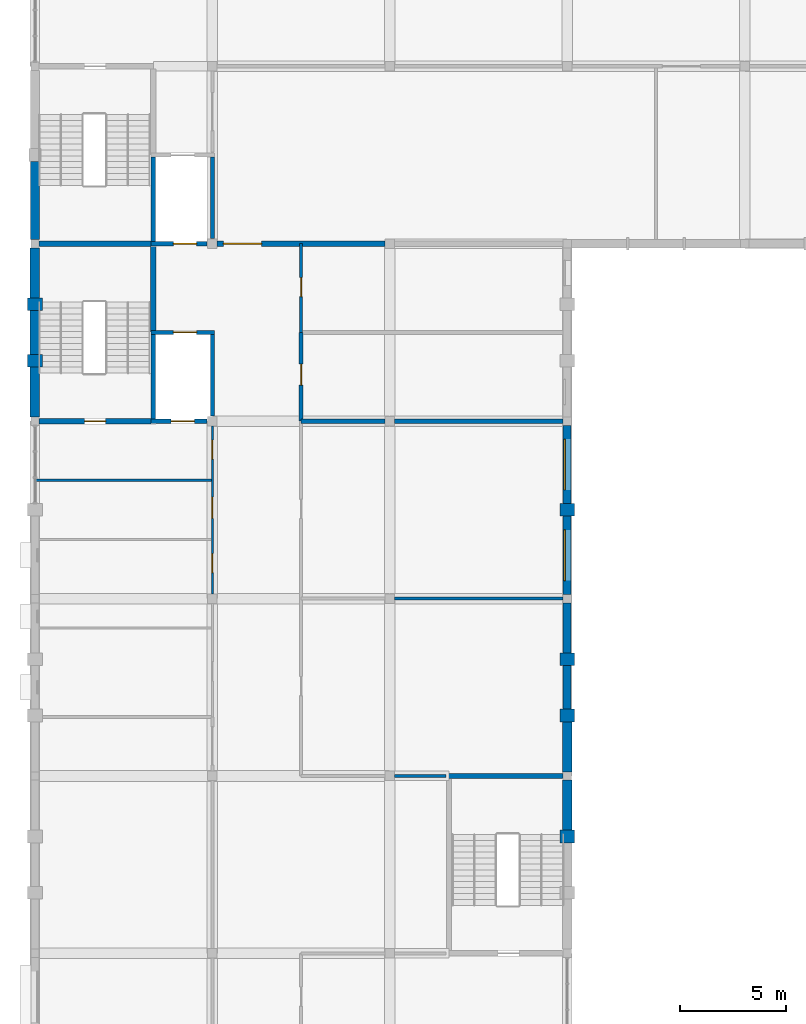
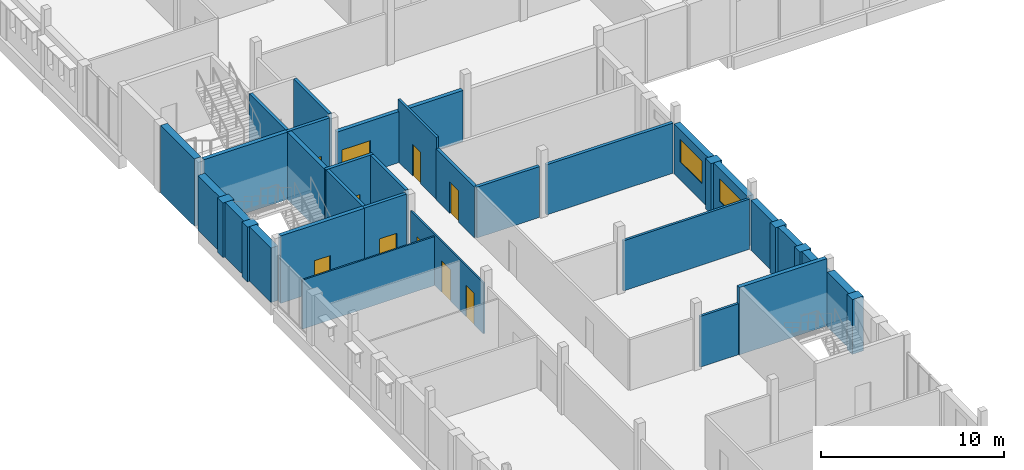
# One storey, part 20 of 30: 36 walls, 10 doors, 2 windows, 12 openings.
"""IFC4 building model written with IfcOpenShell, lengths in metres."""

from ifc_helpers import new_model, si_unit, direction, frame, frame_2d, origin, place, context, subcontext, project, spatial, rectangle, extrude, material, layer, layer_set, type_object, element, fill, save


model = new_model("IFC4")

# Units and contexts
model_context = context("Model", 3, precision=1e-05, world=origin(), true_north=direction((0.0, 1.0)))
body_context = subcontext(model_context, "Body", "Model", "MODEL_VIEW")
ifc_project = project(units=[si_unit("LENGTHUNIT", "METRE"), si_unit("AREAUNIT", "SQUARE_METRE"), si_unit("VOLUMEUNIT", "CUBIC_METRE"), si_unit("PLANEANGLEUNIT", "RADIAN"), si_unit("MASSUNIT", "GRAM", prefix="KILO")], contexts=[model_context])

# Site, building, storey
site_placement = place(None, origin())
site = spatial("IfcSite", under=ifc_project, at=site_placement, CompositionType="ELEMENT")
building_placement = place(site_placement, origin())
building = spatial("IfcBuilding", under=site, at=building_placement, Name="Fescue Hill Polytechnic", CompositionType="ELEMENT")
storey_placement = place(building_placement, frame((0.0, 0.0, 22.5)))
storey = spatial("IfcBuildingStorey", under=building, at=storey_placement, Name="L05", CompositionType="ELEMENT", Elevation=22.5)

# Wall, opening, door
ifc_material_1 = material(Name="Concrete 40 MPa", Category="concrete")
ifc_layer_1 = layer(ifc_material_1, 0.25)
ifc_layer_set_1 = layer_set([ifc_layer_1], Name="Concrete 40 MPa")
wall_type_1 = type_object("IfcWallType", Name="Core wall 250", PredefinedType="SHEAR", material=ifc_layer_set_1)
wall_1_placement = place(storey_placement, frame((0.199951171875, 100.800048828125, 0.0), z_axis=(0.0, 0.0, 1.0), x_axis=(1.0, 0.0, 0.0)))
wall_1 = element("IfcWall", 1, at=wall_1_placement, inside=storey, type_object=wall_type_1, Name="CW-L05-ST-V4-2-11", PredefinedType="SHEAR", context=body_context, shape_type="SweptSolid", body=[
    extrude(rectangle(XDim=5.300048828125, YDim=0.25, at=frame_2d((2.64990234375, 0.0))), origin(), (0.0, 0.0, 1.0), 4.5),
])
opening_1_placement = place(wall_1_placement, frame((2.14990234375, 0.0, 0.0)))
opening_1 = element("IfcOpeningElement", 2, at=opening_1_placement, cuts=wall_1, Name="Opening D5041", PredefinedType="OPENING", context=body_context, shape_type="SweptSolid", body=[
    extrude(rectangle(XDim=1.0, YDim=2.10009765625, at=frame_2d((0.5, 1.050048828125))), frame((0.0, 0.135009765625, 0.0), z_axis=(0.0, -1.0, 0.0), x_axis=(1.0, 0.0, 0.0)), (0.0, 0.0, 1.0), 0.27001953125),
])
ifc_material_2 = material(Name="Steel fire door", Category="steel")
door_type_1 = type_object("IfcDoorType", Name="Door single swing 1000x2100 stair fire rated", OperationType="NOTDEFINED", PredefinedType="DOOR", material=ifc_material_2)
door_1_placement = place(opening_1_placement, origin())
door_1 = element("IfcDoor", 3, at=door_1_placement, inside=storey, type_object=door_type_1, Name="L05 ST-V4-2 stair door", OperationType="SINGLE_SWING_LEFT", OverallHeight=2.10009765625, OverallWidth=1.0, PredefinedType="DOOR", context=body_context, shape_type="SweptSolid", body=[
    extrude(rectangle(XDim=1.0, YDim=2.10009765625, at=frame_2d((0.5, 1.050048828125))), frame((0.0, 0.02490234375, 0.0), z_axis=(0.0, -1.0, 0.0), x_axis=(1.0, 0.0, 0.0)), (0.0, 0.0, 1.0), 0.050048828125),
])
fill(opening_1, door_1)

# Walls
wall_2_placement = place(storey_placement, frame((0.199951171875, 109.199951171875, 0.0), z_axis=(0.0, 0.0, 1.0), x_axis=(1.0, 0.0, 0.0)))
element("IfcWall", 4, at=wall_2_placement, inside=storey, type_object=wall_type_1, Name="CW-L05-ST-V4-2-21", PredefinedType="SHEAR", context=body_context, shape_type="SweptSolid", body=[
    extrude(rectangle(XDim=5.300048828125, YDim=0.25, at=frame_2d((2.64990234375, 0.0))), origin(), (0.0, 0.0, 1.0), 4.5),
])
wall_3_placement = place(storey_placement, frame((5.60009765625, 105.010009765625, 0.0), z_axis=(0.0, 0.0, 1.0), x_axis=(0.0, 1.0, 0.0)))
element("IfcWall", 5, at=wall_3_placement, inside=storey, type_object=wall_type_1, Name="CW-L05-ST-V4-2-41", PredefinedType="SHEAR", context=body_context, shape_type="SweptSolid", body=[
    extrude(rectangle(XDim=4.06494140625, YDim=0.25, at=frame_2d((2.032470703125, 0.0))), origin(), (0.0, 0.0, 1.0), 4.5),
])
wall_4_placement = place(storey_placement, frame((19.47509765625, 84.0, 0.0), z_axis=(0.0, 0.0, 1.0), x_axis=(1.0, 0.0, 0.0)))
element("IfcWall", 6, at=wall_4_placement, inside=storey, type_object=wall_type_1, Name="CW-L05-ST-V4-3-21", PredefinedType="SHEAR", context=body_context, shape_type="SweptSolid", body=[
    extrude(rectangle(XDim=5.52490234375, YDim=0.25, at=frame_2d((2.762451171875, 0.0))), origin(), (0.0, 0.0, 1.0), 4.5),
])

# Wall, opening, door
ifc_material_3 = material(Name="Gypsum board partition")
ifc_layer_2 = layer(ifc_material_3, 0.14990234375)
ifc_layer_set_2 = layer_set([ifc_layer_2], Name="Gypsum board partition")
wall_type_2 = type_object("IfcWallType", Name="Corridor wall 150 EI 45", PredefinedType="PARTITIONING", material=ifc_layer_set_2)
wall_5_placement = place(storey_placement, frame((12.60009765625, 105.0, 0.0), z_axis=(0.0, 0.0, 1.0), x_axis=(0.0, 1.0, 0.0)))
wall_5 = element("IfcWall", 7, at=wall_5_placement, inside=storey, type_object=wall_type_2, Name="IW-L05-051", PredefinedType="PARTITIONING", context=body_context, shape_type="SweptSolid", body=[
    extrude(rectangle(XDim=4.199951171875, YDim=0.14990234375, at=frame_2d((2.10009765625, 0.0))), origin(), (0.0, 0.0, 1.0), 4.14990234375),
])
opening_2_placement = place(wall_5_placement, frame((1.699951171875, 0.0, 0.0)))
opening_2 = element("IfcOpeningElement", 8, at=opening_2_placement, cuts=wall_5, Name="Opening D5016", PredefinedType="OPENING", context=body_context, shape_type="SweptSolid", body=[
    extrude(rectangle(XDim=0.89990234375, YDim=2.10009765625, at=frame_2d((0.449951171875, 1.050048828125))), frame((0.0, 0.0849609375, 0.0), z_axis=(0.0, -1.0, 0.0), x_axis=(1.0, 0.0, 0.0)), (0.0, 0.0, 1.0), 0.169921875),
])
ifc_material_4 = material(Name="Timber", Category="wood")
door_type_2 = type_object("IfcDoorType", Name="Door single swing 900x2100 FD30S", OperationType="SINGLE_SWING_LEFT", PredefinedType="DOOR", material=ifc_material_4)
door_2_placement = place(opening_2_placement, origin())
door_2 = element("IfcDoor", 9, at=door_2_placement, inside=storey, type_object=door_type_2, Name="Door D5016", OperationType="SINGLE_SWING_RIGHT", OverallHeight=2.10009765625, OverallWidth=0.89990234375, PredefinedType="DOOR", context=body_context, shape_type="SweptSolid", body=[
    extrude(rectangle(XDim=0.89990234375, YDim=2.10009765625, at=frame_2d((0.449951171875, 1.050048828125))), frame((0.0, 0.02490234375, 0.0), z_axis=(0.0, -1.0, 0.0), x_axis=(1.0, 0.0, 0.0)), (0.0, 0.0, 1.0), 0.050048828125),
])
fill(opening_2, door_2)

# Walls
ifc_layer_3 = layer(ifc_material_1, 0.449951171875)
ifc_layer_set_3 = layer_set([ifc_layer_3], Name="Concrete 40 MPa")
wall_type_3 = type_object("IfcWallType", Name="Exterior wall board-marked concrete 450", PredefinedType="SOLIDWALL", material=ifc_layer_set_3)
wall_6_placement = place(storey_placement, frame((25.199951171875, 84.199951171875, 0.0), z_axis=(0.0, 0.0, 1.0), x_axis=(0.0, 1.0, 0.0)))
element("IfcWall", 10, at=wall_6_placement, inside=storey, type_object=wall_type_3, Name="EW-L05-V4-11", PredefinedType="SOLIDWALL", context=body_context, shape_type="SweptSolid", body=[
    extrude(rectangle(XDim=2.36669921875, YDim=0.449951171875, at=frame_2d((1.183349609375, 0.0))), origin(), (0.0, 0.0, 1.0), 3.35009765625),
])
ifc_layer_4 = layer(ifc_material_1, 0.449951171875)
ifc_layer_set_4 = layer_set([ifc_layer_4], Name="Concrete 40 MPa")
wall_type_4 = type_object("IfcWallType", Name="Exterior wall board-marked concrete 450 load-bearing", PredefinedType="SOLIDWALL", material=ifc_layer_set_4)
for number, where, z_axis, x_axis, name in (
    (11, (25.199951171875, 81.433349609375, 0.0), (0.0, 0.0, 1.0), (0.0, 1.0, 0.0), "EW-L05-V4-10"),
    (12, (0.0, 109.0, 0.0), (0.0, 0.0, 1.0), (0.0, -1.0, 0.0), "EW-L05-V4-19"),
):
    element("IfcWall", number, at=place(storey_placement, frame(where, z_axis=z_axis, x_axis=x_axis)), inside=storey, type_object=wall_type_4, Name=name, PredefinedType="SOLIDWALL", context=body_context, shape_type="SweptSolid", body=[
        extrude(rectangle(XDim=2.36669921875, YDim=0.449951171875, at=frame_2d((1.183349609375, 0.0))), origin(), (0.0, 0.0, 1.0), 3.64990234375),
    ])
wall_7_placement = place(storey_placement, frame((0.0, 106.033203125, 0.0), z_axis=(0.0, 0.0, 1.0), x_axis=(0.0, -1.0, 0.0)))
element("IfcWall", 13, at=wall_7_placement, inside=storey, type_object=wall_type_4, Name="EW-L05-V4-20", PredefinedType="SOLIDWALL", context=body_context, shape_type="SweptSolid", body=[
    extrude(rectangle(XDim=2.06640625, YDim=0.449951171875, at=frame_2d((1.033203125, 0.0))), origin(), (0.0, 0.0, 1.0), 3.64990234375),
])
wall_8_placement = place(storey_placement, frame((0.0, 103.36669921875, 0.0), z_axis=(0.0, 0.0, 1.0), x_axis=(0.0, -1.0, 0.0)))
element("IfcWall", 14, at=wall_8_placement, inside=storey, type_object=wall_type_4, Name="EW-L05-V4-21", PredefinedType="SOLIDWALL", context=body_context, shape_type="SweptSolid", body=[
    extrude(rectangle(XDim=2.36669921875, YDim=0.449951171875, at=frame_2d((1.183349609375, 0.0))), origin(), (0.0, 0.0, 1.0), 3.64990234375),
])
ifc_material_5 = material(Name="Clay brick masonry", Category="masonry")
ifc_layer_5 = layer(ifc_material_5, 0.419921875)
ifc_layer_set_5 = layer_set([ifc_layer_5], Name="Clay brick masonry")
wall_type_5 = type_object("IfcWallType", Name="Exterior wall buff-red brick cavity 420 load-bearing", PredefinedType="SOLIDWALL", material=ifc_layer_set_5)
wall_9_placement = place(storey_placement, frame((0.0, 113.10009765625, 0.0), z_axis=(0.0, 0.0, 1.0), x_axis=(0.0, -1.0, 0.0)))
element("IfcWall", 15, at=wall_9_placement, inside=storey, type_object=wall_type_5, Name="EW-L05-V5-22", PredefinedType="SOLIDWALL", context=body_context, shape_type="SweptSolid", body=[
    extrude(rectangle(XDim=3.7001953125, YDim=0.419921875, at=frame_2d((1.85009765625, 0.0))), origin(), (0.0, 0.0, 1.0), 4.5),
])
ifc_material_6 = material(Name="Terracotta rainscreen on concrete block", Category="masonry")
ifc_layer_6 = layer(ifc_material_6, 0.3798828125)
ifc_layer_set_6 = layer_set([ifc_layer_6], Name="Terracotta rainscreen on concrete block")
wall_type_6 = type_object("IfcWallType", Name="Exterior wall rainscreen terracotta on blockwork 380", PredefinedType="SOLIDWALL", material=ifc_layer_set_6)
wall_10_placement = place(storey_placement, frame((25.199951171875, 87.166748046875, 0.0), z_axis=(0.0, 0.0, 1.0), x_axis=(0.0, 1.0, 0.0)))
element("IfcWall", 16, at=wall_10_placement, inside=storey, type_object=wall_type_6, Name="EW-L05-V4-12", PredefinedType="SOLIDWALL", context=body_context, shape_type="SweptSolid", body=[
    extrude(rectangle(XDim=2.066650390625, YDim=0.3798828125, at=frame_2d((1.033203125, 0.0))), origin(), (0.0, 0.0, 1.0), 3.35009765625),
])
wall_11_placement = place(storey_placement, frame((25.199951171875, 89.833251953125, 0.0), z_axis=(0.0, 0.0, 1.0), x_axis=(0.0, 1.0, 0.0)))
element("IfcWall", 17, at=wall_11_placement, inside=storey, type_object=wall_type_6, Name="EW-L05-V4-13", PredefinedType="SOLIDWALL", context=body_context, shape_type="SweptSolid", body=[
    extrude(rectangle(XDim=2.36669921875, YDim=0.3798828125, at=frame_2d((1.183349609375, 0.0))), origin(), (0.0, 0.0, 1.0), 3.35009765625),
])

# Wall, opening, window
wall_12_placement = place(storey_placement, frame((25.199951171875, 92.60009765625, 0.0), z_axis=(0.0, 0.0, 1.0), x_axis=(0.0, 1.0, 0.0)))
wall_12 = element("IfcWall", 18, at=wall_12_placement, inside=storey, type_object=wall_type_6, Name="EW-L05-V4-14", PredefinedType="SOLIDWALL", context=body_context, shape_type="SweptSolid", body=[
    extrude(rectangle(XDim=3.699951171875, YDim=0.3798828125, at=frame_2d((1.85009765625, 0.0))), origin(), (0.0, 0.0, 1.0), 3.35009765625),
])
opening_3_placement = place(wall_12_placement, frame((0.64990234375, 0.0, 1.199951171875)))
opening_3 = element("IfcOpeningElement", 19, at=opening_3_placement, cuts=wall_12, Name="Opening W3", PredefinedType="OPENING", context=body_context, shape_type="SweptSolid", body=[
    extrude(rectangle(XDim=2.39990234375, YDim=1.5, at=frame_2d((1.199951171875, 0.75))), frame((0.0, 0.199951171875, 0.0), z_axis=(0.0, -1.0, 0.0), x_axis=(1.0, 0.0, 0.0)), (0.0, 0.0, 1.0), 0.39990234375),
])
ifc_material_7 = material(Name="Powder-coated aluminium and glass", Category="aluminium")
window_type = type_object("IfcWindowType", Name="Window laboratory strip 2400x1500", PartitioningType="TRIPLE_PANEL_VERTICAL", PredefinedType="WINDOW", material=ifc_material_7)
window_1_placement = place(opening_3_placement, origin())
window_1 = element("IfcWindow", 20, at=window_1_placement, inside=storey, type_object=window_type, Name="WN-L05-V4-4", OverallHeight=1.5, OverallWidth=2.39990234375, PartitioningType="SINGLE_PANEL", PredefinedType="WINDOW", context=body_context, shape_type="SweptSolid", body=[
    extrude(rectangle(XDim=2.39990234375, YDim=1.5, at=frame_2d((1.199951171875, 0.75))), frame((0.0, 0.150146484375, 0.0), z_axis=(0.0, -1.0, 0.0), x_axis=(1.0, 0.0, 0.0)), (0.0, 0.0, 1.0), 0.06005859375),
])
fill(opening_3, window_1)

wall_13_placement = place(storey_placement, frame((25.199951171875, 96.89990234375, 0.0), z_axis=(0.0, 0.0, 1.0), x_axis=(0.0, 1.0, 0.0)))
wall_13 = element("IfcWall", 21, at=wall_13_placement, inside=storey, type_object=wall_type_6, Name="EW-L05-V4-15", PredefinedType="SOLIDWALL", context=body_context, shape_type="SweptSolid", body=[
    extrude(rectangle(XDim=3.7001953125, YDim=0.3798828125, at=frame_2d((1.85009765625, 0.0))), origin(), (0.0, 0.0, 1.0), 3.35009765625),
])
opening_4_placement = place(wall_13_placement, frame((0.64990234375, 0.0, 1.199951171875)))
opening_4 = element("IfcOpeningElement", 22, at=opening_4_placement, cuts=wall_13, Name="Opening W3", PredefinedType="OPENING", context=body_context, shape_type="SweptSolid", body=[
    extrude(rectangle(XDim=2.39990234375, YDim=1.5, at=frame_2d((1.199951171875, 0.75))), frame((0.0, 0.199951171875, 0.0), z_axis=(0.0, -1.0, 0.0), x_axis=(1.0, 0.0, 0.0)), (0.0, 0.0, 1.0), 0.39990234375),
])
window_2_placement = place(opening_4_placement, origin())
window_2 = element("IfcWindow", 23, at=window_2_placement, inside=storey, type_object=window_type, Name="WN-L05-V4-5", OverallHeight=1.5, OverallWidth=2.39990234375, PartitioningType="SINGLE_PANEL", PredefinedType="WINDOW", context=body_context, shape_type="SweptSolid", body=[
    extrude(rectangle(XDim=2.39990234375, YDim=1.5, at=frame_2d((1.199951171875, 0.75))), frame((0.0, 0.150146484375, 0.0), z_axis=(0.0, -1.0, 0.0), x_axis=(1.0, 0.0, 0.0)), (0.0, 0.0, 1.0), 0.06005859375),
])
fill(opening_4, window_2)

# Walls
ifc_layer_7 = layer(ifc_material_1, 0.699951171875)
ifc_layer_set_7 = layer_set([ifc_layer_7], Name="Concrete 40 MPa")
wall_type_7 = type_object("IfcWallType", Name="Fin wall board-marked 600x700", PredefinedType="SOLIDWALL", material=ifc_layer_set_7)
wall_14_placement = place(storey_placement, frame((25.199951171875, 80.833251953125, 0.0), z_axis=(0.0, 0.0, 1.0), x_axis=(0.0, 1.0, 0.0)))
element("IfcWall", 24, at=wall_14_placement, inside=storey, type_object=wall_type_7, Name="PR-L05-V4-6", PredefinedType="SOLIDWALL", context=body_context, shape_type="SweptSolid", body=[
    extrude(rectangle(XDim=0.60009765625, YDim=0.699951171875, at=frame_2d((0.300048828125, 0.0))), origin(), (0.0, 0.0, 1.0), 3.64990234375),
])
wall_15_placement = place(storey_placement, frame((25.199951171875, 86.566650390625, 0.0), z_axis=(0.0, 0.0, 1.0), x_axis=(0.0, 1.0, 0.0)))
element("IfcWall", 25, at=wall_15_placement, inside=storey, type_object=wall_type_7, Name="PR-L05-V4-7", PredefinedType="SOLIDWALL", context=body_context, shape_type="SweptSolid", body=[
    extrude(rectangle(XDim=0.60009765625, YDim=0.699951171875, at=frame_2d((0.300048828125, 0.0))), origin(), (0.0, 0.0, 1.0), 3.35009765625),
])
for number, where, z_axis, x_axis, name in (
    (26, (25.199951171875, 89.2333984375, 0.0), (0.0, 0.0, 1.0), (0.0, 1.0, 0.0), "PR-L05-V4-8"),
    (27, (25.199951171875, 96.300048828125, 0.0), (0.0, 0.0, 1.0), (0.0, 1.0, 0.0), "PR-L05-V4-9"),
):
    element("IfcWall", number, at=place(storey_placement, frame(where, z_axis=z_axis, x_axis=x_axis)), inside=storey, type_object=wall_type_7, Name=name, PredefinedType="SOLIDWALL", context=body_context, shape_type="SweptSolid", body=[
        extrude(rectangle(XDim=0.599853515625, YDim=0.699951171875, at=frame_2d((0.2998046875, 0.0))), origin(), (0.0, 0.0, 1.0), 3.35009765625),
    ])
for number, where, z_axis, x_axis, name in (
    (28, (0.0, 106.63330078125, 0.0), (0.0, 0.0, 1.0), (0.0, -1.0, 0.0), "PR-L05-V4-12"),
    (29, (0.0, 103.966796875, 0.0), (0.0, 0.0, 1.0), (0.0, -1.0, 0.0), "PR-L05-V4-13"),
):
    element("IfcWall", number, at=place(storey_placement, frame(where, z_axis=z_axis, x_axis=x_axis)), inside=storey, type_object=wall_type_7, Name=name, PredefinedType="SOLIDWALL", context=body_context, shape_type="SweptSolid", body=[
        extrude(rectangle(XDim=0.60009765625, YDim=0.699951171875, at=frame_2d((0.300048828125, 0.0))), origin(), (0.0, 0.0, 1.0), 3.64990234375),
    ])

# Wall, opening, door
ifc_layer_8 = layer(ifc_material_1, 0.199951171875)
ifc_layer_set_8 = layer_set([ifc_layer_8], Name="Concrete 40 MPa")
wall_type_8 = type_object("IfcWallType", Name="Lift shaft wall 200", PredefinedType="SHEAR", material=ifc_layer_set_8)
wall_16_placement = place(storey_placement, frame((5.5, 100.800048828125, 0.0), z_axis=(0.0, 0.0, 1.0), x_axis=(1.0, 0.0, 0.0)))
wall_16 = element("IfcWall", 30, at=wall_16_placement, inside=storey, type_object=wall_type_8, Name="CW-L05-LF-V4-2-11", PredefinedType="SHEAR", context=body_context, shape_type="SweptSolid", body=[
    extrude(rectangle(XDim=2.64990234375, YDim=0.199951171875, at=frame_2d((1.324951171875, 0.0))), origin(), (0.0, 0.0, 1.0), 4.5),
])
opening_5_placement = place(wall_16_placement, frame((0.949951171875, 0.0, 0.0)))
opening_5 = element("IfcOpeningElement", 31, at=opening_5_placement, cuts=wall_16, Name="Opening LD5-L05", PredefinedType="OPENING", context=body_context, shape_type="SweptSolid", body=[
    extrude(rectangle(XDim=1.10009765625, YDim=2.10009765625, at=frame_2d((0.550048828125, 1.050048828125))), frame((0.0, 0.10986328125, 0.0), z_axis=(0.0, -1.0, 0.0), x_axis=(1.0, 0.0, 0.0)), (0.0, 0.0, 1.0), 0.219970703125),
])
ifc_material_8 = material(Name="Stainless steel", Category="steel")
door_type_3 = type_object("IfcDoorType", Name="Lift landing door sliding 1100x2100", OperationType="SLIDING_TO_LEFT", PredefinedType="DOOR", material=ifc_material_8)
door_3_placement = place(opening_5_placement, origin())
door_3 = element("IfcDoor", 32, at=door_3_placement, inside=storey, type_object=door_type_3, Name="L05 LF-V4-2 lift landing door", OperationType="SLIDING_TO_LEFT", OverallHeight=2.10009765625, OverallWidth=1.10009765625, PredefinedType="DOOR", context=body_context, shape_type="SweptSolid", body=[
    extrude(rectangle(XDim=1.10009765625, YDim=2.10009765625, at=frame_2d((0.550048828125, 1.050048828125))), frame((0.0, 0.02490234375, 0.0), z_axis=(0.0, -1.0, 0.0), x_axis=(1.0, 0.0, 0.0)), (0.0, 0.0, 1.0), 0.050048828125),
])
fill(opening_5, door_3)

wall_17_placement = place(storey_placement, frame((5.5, 105.0, 0.0), z_axis=(0.0, 0.0, 1.0), x_axis=(1.0, 0.0, 0.0)))
wall_17 = element("IfcWall", 33, at=wall_17_placement, inside=storey, type_object=wall_type_8, Name="CW-L05-LF-V4-2-21", PredefinedType="SHEAR", context=body_context, shape_type="SweptSolid", body=[
    extrude(rectangle(XDim=3.0, YDim=0.199951171875, at=frame_2d((1.5, 0.0))), origin(), (0.0, 0.0, 1.0), 4.5),
])
opening_6_placement = place(wall_17_placement, frame((1.050048828125, 0.0, 0.0)))
opening_6 = element("IfcOpeningElement", 34, at=opening_6_placement, cuts=wall_17, Name="Opening LD5-L05N", PredefinedType="OPENING", context=body_context, shape_type="SweptSolid", body=[
    extrude(rectangle(XDim=1.10009765625, YDim=2.10009765625, at=frame_2d((0.550048828125, 1.050048828125))), frame((0.0, 0.10986328125, 0.0), z_axis=(0.0, -1.0, 0.0), x_axis=(1.0, 0.0, 0.0)), (0.0, 0.0, 1.0), 0.219970703125),
])
door_4_placement = place(opening_6_placement, origin())
door_4 = element("IfcDoor", 35, at=door_4_placement, inside=storey, type_object=door_type_3, Name="L05 LF-V4-2 lift landing door", OperationType="SLIDING_TO_RIGHT", OverallHeight=2.10009765625, OverallWidth=1.10009765625, PredefinedType="DOOR", context=body_context, shape_type="SweptSolid", body=[
    extrude(rectangle(XDim=1.10009765625, YDim=2.10009765625, at=frame_2d((0.550048828125, 1.050048828125))), frame((0.0, 0.02490234375, 0.0), z_axis=(0.0, -1.0, 0.0), x_axis=(1.0, 0.0, 0.0)), (0.0, 0.0, 1.0), 0.050048828125),
])
fill(opening_6, door_4)

# Walls
wall_18_placement = place(storey_placement, frame((5.60009765625, 100.89990234375, 0.0), z_axis=(0.0, 0.0, 1.0), x_axis=(0.0, 1.0, 0.0)))
element("IfcWall", 36, at=wall_18_placement, inside=storey, type_object=wall_type_8, Name="CW-L05-LF-V4-2-31", PredefinedType="SHEAR", context=body_context, shape_type="SweptSolid", body=[
    extrude(rectangle(XDim=4.0, YDim=0.199951171875, at=frame_2d((2.0, 0.0))), origin(), (0.0, 0.0, 1.0), 4.5),
])
wall_19_placement = place(storey_placement, frame((8.39990234375, 101.050048828125, 0.0), z_axis=(0.0, 0.0, 1.0), x_axis=(0.0, 1.0, 0.0)))
element("IfcWall", 37, at=wall_19_placement, inside=storey, type_object=wall_type_8, Name="CW-L05-LF-V4-2-41", PredefinedType="SHEAR", context=body_context, shape_type="SweptSolid", body=[
    extrude(rectangle(XDim=3.849853515625, YDim=0.199951171875, at=frame_2d((1.9248046875, 0.0))), origin(), (0.0, 0.0, 1.0), 4.5),
])

# Wall, opening, door
wall_20_placement = place(storey_placement, frame((5.5, 109.199951171875, 0.0), z_axis=(0.0, 0.0, 1.0), x_axis=(1.0, 0.0, 0.0)))
wall_20 = element("IfcWall", 38, at=wall_20_placement, inside=storey, type_object=wall_type_8, Name="CW-L05-LF-V5-1-11", PredefinedType="SHEAR", context=body_context, shape_type="SweptSolid", body=[
    extrude(rectangle(XDim=2.64990234375, YDim=0.199951171875, at=frame_2d((1.324951171875, 0.0))), origin(), (0.0, 0.0, 1.0), 4.5),
])
opening_7_placement = place(wall_20_placement, frame((1.050048828125, 0.0, 0.0)))
opening_7 = element("IfcOpeningElement", 39, at=opening_7_placement, cuts=wall_20, Name="Opening LD6-L05", PredefinedType="OPENING", context=body_context, shape_type="SweptSolid", body=[
    extrude(rectangle(XDim=1.10009765625, YDim=2.10009765625, at=frame_2d((0.550048828125, 1.050048828125))), frame((0.0, 0.10986328125, 0.0), z_axis=(0.0, -1.0, 0.0), x_axis=(1.0, 0.0, 0.0)), (0.0, 0.0, 1.0), 0.219970703125),
])
door_5_placement = place(opening_7_placement, origin())
door_5 = element("IfcDoor", 40, at=door_5_placement, inside=storey, type_object=door_type_3, Name="L05 LF-V5-1 lift landing door", OperationType="SLIDING_TO_LEFT", OverallHeight=2.10009765625, OverallWidth=1.10009765625, PredefinedType="DOOR", context=body_context, shape_type="SweptSolid", body=[
    extrude(rectangle(XDim=1.10009765625, YDim=2.10009765625, at=frame_2d((0.550048828125, 1.050048828125))), frame((0.0, 0.02490234375, 0.0), z_axis=(0.0, -1.0, 0.0), x_axis=(1.0, 0.0, 0.0)), (0.0, 0.0, 1.0), 0.050048828125),
])
fill(opening_7, door_5)

# Walls
wall_21_placement = place(storey_placement, frame((5.60009765625, 109.300048828125, 0.0), z_axis=(0.0, 0.0, 1.0), x_axis=(0.0, 1.0, 0.0)))
element("IfcWall", 41, at=wall_21_placement, inside=storey, type_object=wall_type_8, Name="CW-L05-LF-V5-1-31", PredefinedType="SHEAR", context=body_context, shape_type="SweptSolid", body=[
    extrude(rectangle(XDim=4.0, YDim=0.199951171875, at=frame_2d((2.0, 0.0))), origin(), (0.0, 0.0, 1.0), 4.5),
])
wall_22_placement = place(storey_placement, frame((8.39990234375, 109.449951171875, 0.0), z_axis=(0.0, 0.0, 1.0), x_axis=(0.0, 1.0, 0.0)))
element("IfcWall", 42, at=wall_22_placement, inside=storey, type_object=wall_type_8, Name="CW-L05-LF-V5-1-41", PredefinedType="SHEAR", context=body_context, shape_type="SweptSolid", body=[
    extrude(rectangle(XDim=3.85009765625, YDim=0.199951171875, at=frame_2d((1.925048828125, 0.0))), origin(), (0.0, 0.0, 1.0), 4.5),
])
ifc_layer_9 = layer(ifc_material_3, 0.14990234375)
ifc_layer_set_9 = layer_set([ifc_layer_9], Name="Gypsum board partition")
wall_type_9 = type_object("IfcWallType", Name="Lobby wall 150 EI 60", PredefinedType="PARTITIONING", material=ifc_layer_set_9)
wall_23_placement = place(storey_placement, frame((17.02490234375, 84.0, 0.0), z_axis=(0.0, 0.0, 1.0), x_axis=(1.0, 0.0, 0.0)))
element("IfcWall", 43, at=wall_23_placement, inside=storey, type_object=wall_type_9, Name="IW-L05-010", PredefinedType="PARTITIONING", context=body_context, shape_type="SweptSolid", body=[
    extrude(rectangle(XDim=2.425048828125, YDim=0.14990234375, at=frame_2d((1.21240234375, 0.0))), origin(), (0.0, 0.0, 1.0), 3.39990234375),
])
ifc_layer_10 = layer(ifc_material_3, 0.14990234375)
ifc_layer_set_10 = layer_set([ifc_layer_10], Name="Gypsum board partition")
wall_type_10 = type_object("IfcWallType", Name="Partition stud 150 acoustic", PredefinedType="PARTITIONING", material=ifc_layer_set_10)
wall_24_placement = place(storey_placement, frame((17.02490234375, 92.39990234375, 0.0), z_axis=(0.0, 0.0, 1.0), x_axis=(1.0, 0.0, 0.0)))
element("IfcWall", 44, at=wall_24_placement, inside=storey, type_object=wall_type_10, Name="IW-L05-014", PredefinedType="PARTITIONING", context=body_context, shape_type="SweptSolid", body=[
    extrude(rectangle(XDim=7.97509765625, YDim=0.14990234375, at=frame_2d((3.987548828125, 0.0))), origin(), (0.0, 0.0, 1.0), 3.35009765625),
])

# Wall, opening, door
ifc_material_9 = material(Name="Concrete 35 MPa", Category="concrete")
ifc_layer_11 = layer(ifc_material_9, 0.25)
ifc_layer_set_11 = layer_set([ifc_layer_11], Name="Concrete 35 MPa")
wall_type_11 = type_object("IfcWallType", Name="Party wall 250 concrete EI 120", PredefinedType="SOLIDWALL", material=ifc_layer_set_11)
wall_25_placement = place(storey_placement, frame((8.625, 109.199951171875, 0.0), z_axis=(0.0, 0.0, 1.0), x_axis=(1.0, 0.0, 0.0)))
wall_25 = element("IfcWall", 45, at=wall_25_placement, inside=storey, type_object=wall_type_11, Name="IW-L05-020", PredefinedType="SOLIDWALL", context=body_context, shape_type="SweptSolid", body=[
    extrude(rectangle(XDim=7.949951171875, YDim=0.25, at=frame_2d((3.97509765625, 0.0))), origin(), (0.0, 0.0, 1.0), 3.39990234375),
])
opening_8_placement = place(wall_25_placement, frame((0.300048828125, 0.0, 0.0)))
opening_8 = element("IfcOpeningElement", 46, at=opening_8_placement, cuts=wall_25, Name="Opening D5018", PredefinedType="OPENING", context=body_context, shape_type="SweptSolid", body=[
    extrude(rectangle(XDim=1.800048828125, YDim=2.10009765625, at=frame_2d((0.89990234375, 1.050048828125))), frame((0.0, 0.135009765625, 0.0), z_axis=(0.0, -1.0, 0.0), x_axis=(1.0, 0.0, 0.0)), (0.0, 0.0, 1.0), 0.27001953125),
])
ifc_material_10 = material(Name="Steel", Category="steel")
door_type_4 = type_object("IfcDoorType", Name="Door double swing 1800x2100 FD90", OperationType="DOUBLE_DOOR_SINGLE_SWING", PredefinedType="DOOR", material=ifc_material_10)
door_6_placement = place(opening_8_placement, origin())
door_6 = element("IfcDoor", 47, at=door_6_placement, inside=storey, type_object=door_type_4, Name="Door D5018", OperationType="DOUBLE_DOOR_SINGLE_SWING", OverallHeight=2.10009765625, OverallWidth=1.800048828125, PredefinedType="DOOR", context=body_context, shape_type="SweptSolid", body=[
    extrude(rectangle(XDim=1.800048828125, YDim=2.10009765625, at=frame_2d((0.89990234375, 1.050048828125))), frame((0.0, 0.02490234375, 0.0), z_axis=(0.0, -1.0, 0.0), x_axis=(1.0, 0.0, 0.0)), (0.0, 0.0, 1.0), 0.050048828125),
])
fill(opening_8, door_6)

# Walls
ifc_material_11 = material(Name="Concrete masonry block 15 MPa", Category="masonry")
ifc_layer_12 = layer(ifc_material_11, 0.199951171875)
ifc_layer_set_12 = layer_set([ifc_layer_12], Name="Concrete masonry block 15 MPa")
wall_type_12 = type_object("IfcWallType", Name="Plant room wall 200 block EI 60", PredefinedType="PARTITIONING", material=ifc_layer_set_12)
wall_26_placement = place(storey_placement, frame((12.60009765625, 100.800048828125, 0.0), z_axis=(0.0, 0.0, 1.0), x_axis=(1.0, 0.0, 0.0)))
element("IfcWall", 48, at=wall_26_placement, inside=storey, type_object=wall_type_12, Name="IW-L05-017", PredefinedType="PARTITIONING", context=body_context, shape_type="SweptSolid", body=[
    extrude(rectangle(XDim=3.974853515625, YDim=0.199951171875, at=frame_2d((1.9873046875, 0.0))), origin(), (0.0, 0.0, 1.0), 3.39990234375),
])
wall_27_placement = place(storey_placement, frame((17.02490234375, 100.800048828125, 0.0), z_axis=(0.0, 0.0, 1.0), x_axis=(1.0, 0.0, 0.0)))
element("IfcWall", 49, at=wall_27_placement, inside=storey, type_object=wall_type_12, Name="IW-L05-018", PredefinedType="PARTITIONING", context=body_context, shape_type="SweptSolid", body=[
    extrude(rectangle(XDim=7.97509765625, YDim=0.199951171875, at=frame_2d((3.987548828125, 0.0))), origin(), (0.0, 0.0, 1.0), 3.35009765625),
])

# Wall, opening, door
wall_28_placement = place(storey_placement, frame((12.60009765625, 100.800048828125, 0.0), z_axis=(0.0, 0.0, 1.0), x_axis=(0.0, 1.0, 0.0)))
wall_28 = element("IfcWall", 50, at=wall_28_placement, inside=storey, type_object=wall_type_12, Name="IW-L05-053", PredefinedType="PARTITIONING", context=body_context, shape_type="SweptSolid", body=[
    extrude(rectangle(XDim=4.199951171875, YDim=0.199951171875, at=frame_2d((2.10009765625, 0.0))), origin(), (0.0, 0.0, 1.0), 3.39990234375),
])
opening_9_placement = place(wall_28_placement, frame((1.699951171875, 0.0, 0.0)))
opening_9 = element("IfcOpeningElement", 51, at=opening_9_placement, cuts=wall_28, Name="Opening D5015", PredefinedType="OPENING", context=body_context, shape_type="SweptSolid", body=[
    extrude(rectangle(XDim=1.0, YDim=2.10009765625, at=frame_2d((0.5, 1.050048828125))), frame((0.0, 0.10986328125, 0.0), z_axis=(0.0, -1.0, 0.0), x_axis=(1.0, 0.0, 0.0)), (0.0, 0.0, 1.0), 0.219970703125),
])
door_type_5 = type_object("IfcDoorType", Name="Door single swing 1000x2100 FD60", OperationType="SINGLE_SWING_LEFT", PredefinedType="DOOR", material=ifc_material_10)
door_7_placement = place(opening_9_placement, origin())
door_7 = element("IfcDoor", 52, at=door_7_placement, inside=storey, type_object=door_type_5, Name="Door D5015", OperationType="SINGLE_SWING_RIGHT", OverallHeight=2.10009765625, OverallWidth=1.0, PredefinedType="DOOR", context=body_context, shape_type="SweptSolid", body=[
    extrude(rectangle(XDim=1.0, YDim=2.10009765625, at=frame_2d((0.5, 1.050048828125))), frame((0.0, 0.02490234375, 0.0), z_axis=(0.0, -1.0, 0.0), x_axis=(1.0, 0.0, 0.0)), (0.0, 0.0, 1.0), 0.050048828125),
])
fill(opening_9, door_7)

# Wall
ifc_layer_13 = layer(ifc_material_3, 0.10009765625)
ifc_layer_set_13 = layer_set([ifc_layer_13], Name="Gypsum board partition")
wall_type_13 = type_object("IfcWallType", Name="WC partition 100 moisture resistant", PredefinedType="PARTITIONING", material=ifc_layer_set_13)
wall_29_placement = place(storey_placement, frame((0.0, 98.0, 0.0), z_axis=(0.0, 0.0, 1.0), x_axis=(1.0, 0.0, 0.0)))
element("IfcWall", 53, at=wall_29_placement, inside=storey, type_object=wall_type_13, Name="IW-L05-016", PredefinedType="PARTITIONING", context=body_context, shape_type="SweptSolid", body=[
    extrude(rectangle(XDim=8.39990234375, YDim=0.10009765625, at=frame_2d((4.199951171875, 0.0))), origin(), (0.0, 0.0, 1.0), 3.27001953125),
])

# Wall, openings, doors
wall_30_placement = place(storey_placement, frame((8.39990234375, 92.625, 0.0), z_axis=(0.0, 0.0, 1.0), x_axis=(0.0, 1.0, 0.0)))
wall_30 = element("IfcWall", 54, at=wall_30_placement, inside=storey, type_object=wall_type_13, Name="IW-L05-048", PredefinedType="PARTITIONING", context=body_context, shape_type="SweptSolid", body=[
    extrude(rectangle(XDim=7.949951171875, YDim=0.10009765625, at=frame_2d((3.97509765625, 0.0))), origin(), (0.0, 0.0, 1.0), 3.39990234375),
])
opening_10_placement = place(wall_30_placement, frame((1.0, 0.0, 0.0)))
opening_10 = element("IfcOpeningElement", 55, at=opening_10_placement, cuts=wall_30, Name="Opening D5006", PredefinedType="OPENING", context=body_context, shape_type="SweptSolid", body=[
    extrude(rectangle(XDim=0.89990234375, YDim=2.10009765625, at=frame_2d((0.449951171875, 1.050048828125))), frame((0.0, 0.06005859375, 0.0), z_axis=(0.0, -1.0, 0.0), x_axis=(1.0, 0.0, 0.0)), (0.0, 0.0, 1.0), 0.1201171875),
])
opening_11_placement = place(wall_30_placement, frame((3.574951171875, 0.0, 0.0)))
opening_11 = element("IfcOpeningElement", 56, at=opening_11_placement, cuts=wall_30, Name="Opening D5007", PredefinedType="OPENING", context=body_context, shape_type="SweptSolid", body=[
    extrude(rectangle(XDim=1.0, YDim=2.10009765625, at=frame_2d((0.5, 1.050048828125))), frame((0.0, 0.06005859375, 0.0), z_axis=(0.0, -1.0, 0.0), x_axis=(1.0, 0.0, 0.0)), (0.0, 0.0, 1.0), 0.1201171875),
])
opening_12_placement = place(wall_30_placement, frame((6.375, 0.0, 0.0)))
opening_12 = element("IfcOpeningElement", 57, at=opening_12_placement, cuts=wall_30, Name="Opening D5008", PredefinedType="OPENING", context=body_context, shape_type="SweptSolid", body=[
    extrude(rectangle(XDim=0.89990234375, YDim=2.10009765625, at=frame_2d((0.449951171875, 1.050048828125))), frame((0.0, 0.06005859375, 0.0), z_axis=(0.0, -1.0, 0.0), x_axis=(1.0, 0.0, 0.0)), (0.0, 0.0, 1.0), 0.1201171875),
])
door_type_6 = type_object("IfcDoorType", Name="Door single swing 1000x2100 accessible WC", OperationType="SINGLE_SWING_LEFT", PredefinedType="DOOR", material=ifc_material_4)
door_8_placement = place(opening_11_placement, origin())
door_8 = element("IfcDoor", 58, at=door_8_placement, inside=storey, type_object=door_type_6, Name="Door D5007", OperationType="SINGLE_SWING_RIGHT", OverallHeight=2.10009765625, OverallWidth=1.0, PredefinedType="DOOR", context=body_context, shape_type="SweptSolid", body=[
    extrude(rectangle(XDim=1.0, YDim=2.10009765625, at=frame_2d((0.5, 1.050048828125))), frame((0.0, 0.02490234375, 0.0), z_axis=(0.0, -1.0, 0.0), x_axis=(1.0, 0.0, 0.0)), (0.0, 0.0, 1.0), 0.050048828125),
])
fill(opening_11, door_8)
door_type_7 = type_object("IfcDoorType", Name="Door single swing 900x2100 WC", OperationType="SINGLE_SWING_LEFT", PredefinedType="DOOR", material=ifc_material_4)
door_9_placement = place(opening_10_placement, origin())
door_9 = element("IfcDoor", 59, at=door_9_placement, inside=storey, type_object=door_type_7, Name="Door D5006", OperationType="SINGLE_SWING_LEFT", OverallHeight=2.10009765625, OverallWidth=0.89990234375, PredefinedType="DOOR", context=body_context, shape_type="SweptSolid", body=[
    extrude(rectangle(XDim=0.89990234375, YDim=2.10009765625, at=frame_2d((0.449951171875, 1.050048828125))), frame((0.0, 0.02490234375, 0.0), z_axis=(0.0, -1.0, 0.0), x_axis=(1.0, 0.0, 0.0)), (0.0, 0.0, 1.0), 0.050048828125),
])
fill(opening_10, door_9)
door_type_8 = type_object("IfcDoorType", Name="Door single swing 900x2100 store", OperationType="SINGLE_SWING_LEFT", PredefinedType="DOOR", material=ifc_material_4)
door_10_placement = place(opening_12_placement, origin())
door_10 = element("IfcDoor", 60, at=door_10_placement, inside=storey, type_object=door_type_8, Name="Door D5008", OperationType="SINGLE_SWING_RIGHT", OverallHeight=2.10009765625, OverallWidth=0.89990234375, PredefinedType="DOOR", context=body_context, shape_type="SweptSolid", body=[
    extrude(rectangle(XDim=0.89990234375, YDim=2.10009765625, at=frame_2d((0.449951171875, 1.050048828125))), frame((0.0, 0.02490234375, 0.0), z_axis=(0.0, -1.0, 0.0), x_axis=(1.0, 0.0, 0.0)), (0.0, 0.0, 1.0), 0.050048828125),
])
fill(opening_12, door_10)

save(model, "model.ifc")
